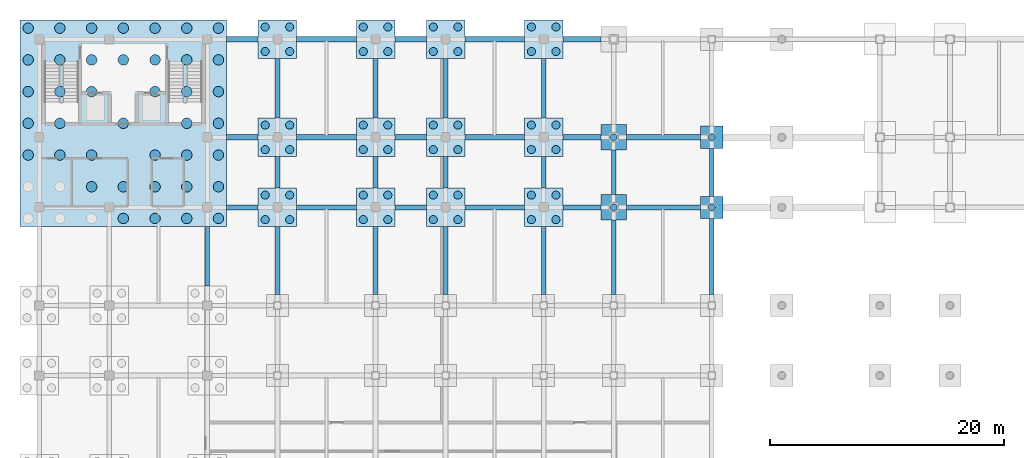
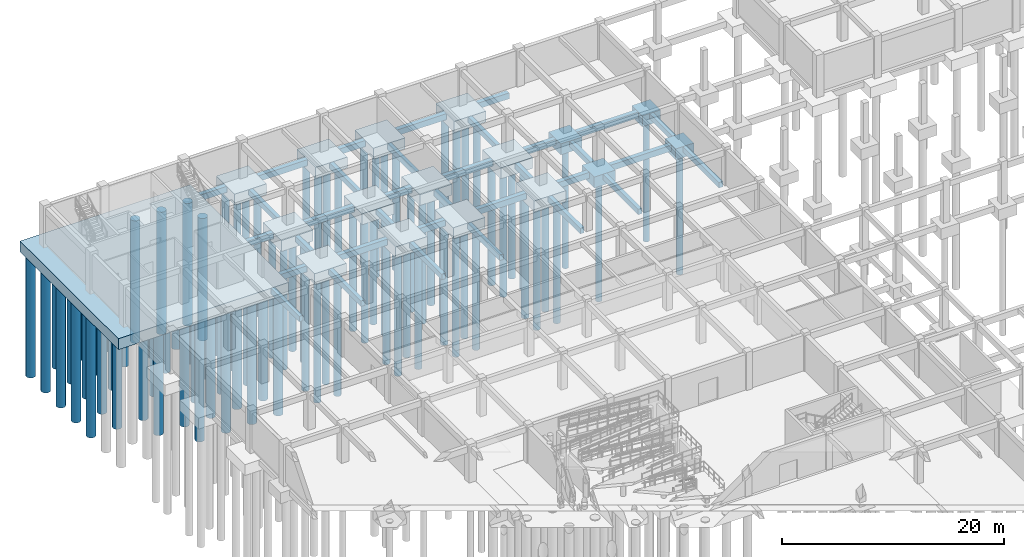
# One storey, part 8 of 40: 92 piles, 51 footings.
"""IFC4 building model written with IfcOpenShell, lengths in metres."""

from ifc_helpers import new_model, si_unit, direction, frame, origin, origin_2d, place, context, subcontext, project, spatial, rectangle, circle, extrude, material, material_profile, profile_set, type_object, element, save


model = new_model("IFC4")

# Units and contexts
model_context = context("Model", 3, precision=1e-05, world=origin(), true_north=direction((0.0, 1.0)))
body_context = subcontext(model_context, "Body", "Model", "MODEL_VIEW")
ifc_project = project(units=[si_unit("LENGTHUNIT", "METRE"), si_unit("AREAUNIT", "SQUARE_METRE"), si_unit("VOLUMEUNIT", "CUBIC_METRE"), si_unit("PLANEANGLEUNIT", "RADIAN"), si_unit("MASSUNIT", "GRAM", prefix="KILO"), si_unit("THERMODYNAMICTEMPERATUREUNIT", "KELVIN")], contexts=[model_context])

# Site, building, storey
site_placement = place(None, origin())
site = spatial("IfcSite", under=ifc_project, at=site_placement, CompositionType="ELEMENT")
building_placement = place(site_placement, origin())
building = spatial("IfcBuilding", under=site, at=building_placement, Name="Thalorik Housing Commons", CompositionType="ELEMENT")
storey_placement = place(building_placement, frame((0.0, 0.0, -4.199951171875)))
storey = spatial("IfcBuildingStorey", under=building, at=storey_placement, Name="B1", CompositionType="ELEMENT", Elevation=-4.199951171875)

# Footings
ifc_material = material(Name="Concrete C40/50", Category="concrete")
footing_type_1 = type_object("IfcFootingType", Name="STR-CAP-17700x17700", PredefinedType="PILE_CAP", material=ifc_material)
footing_1_placement = place(storey_placement, frame((15.60009765625, 116.39990234375, -1.64990234375), z_axis=(0.0, 0.0, 1.0), x_axis=(1.0, 0.0, 0.0)))
element("IfcFooting", 1, at=footing_1_placement, inside=storey, type_object=footing_type_1, Name="B1 Pile Cap 234", PredefinedType="PILE_CAP", context=body_context, shape_type="SweptSolid", body=[
    extrude(rectangle(XDim=17.699951171875, YDim=17.699951171875, at=origin_2d()), origin(), (0.0, 0.0, 1.0), 1.199951171875),
])
footing_type_2 = type_object("IfcFootingType", Name="STR-CAP-1900x1900", PredefinedType="PILE_CAP", material=ifc_material)
for number, where, z_axis, x_axis, name in (
    (2, (66.0, 109.199951171875, -1.64990234375), (0.0, 0.0, 1.0), (1.0, 0.0, 0.0), "B1 Pile Cap 252"),
    (3, (66.0, 115.199951171875, -1.64990234375), (0.0, 0.0, 1.0), (1.0, 0.0, 0.0), "B1 Pile Cap 269"),
):
    element("IfcFooting", number, at=place(storey_placement, frame(where, z_axis=z_axis, x_axis=x_axis)), inside=storey, type_object=footing_type_2, Name=name, PredefinedType="PILE_CAP", context=body_context, shape_type="SweptSolid", body=[
        extrude(rectangle(XDim=1.89990234375, YDim=1.89990234375, at=origin_2d()), origin(), (0.0, 0.0, 1.0), 1.199951171875),
    ])
footing_type_3 = type_object("IfcFootingType", Name="STR-CAP-2200x2200", PredefinedType="PILE_CAP", material=ifc_material)
for number, where, z_axis, x_axis, name in (
    (4, (57.60009765625, 109.199951171875, -1.64990234375), (0.0, 0.0, 1.0), (1.0, 0.0, 0.0), "B1 Pile Cap 251"),
    (5, (57.60009765625, 115.199951171875, -1.64990234375), (0.0, 0.0, 1.0), (1.0, 0.0, 0.0), "B1 Pile Cap 268"),
):
    element("IfcFooting", number, at=place(storey_placement, frame(where, z_axis=z_axis, x_axis=x_axis)), inside=storey, type_object=footing_type_3, Name=name, PredefinedType="PILE_CAP", context=body_context, shape_type="SweptSolid", body=[
        extrude(rectangle(XDim=2.199951171875, YDim=2.199951171875, at=origin_2d()), origin(), (0.0, 0.0, 1.0), 1.199951171875),
    ])
footing_type_4 = type_object("IfcFootingType", Name="STR-CAP-3300x3300", PredefinedType="PILE_CAP", material=ifc_material)
for number, where, z_axis, x_axis, name in (
    (6, (28.800048828125, 109.199951171875, -1.64990234375), (0.0, 0.0, 1.0), (1.0, 0.0, 0.0), "B1 Pile Cap 235"),
    (7, (37.199951171875, 109.199951171875, -1.64990234375), (0.0, 0.0, 1.0), (1.0, 0.0, 0.0), "B1 Pile Cap 236"),
    (8, (43.199951171875, 109.199951171875, -1.64990234375), (0.0, 0.0, 1.0), (1.0, 0.0, 0.0), "B1 Pile Cap 237"),
    (9, (51.60009765625, 109.199951171875, -1.64990234375), (0.0, 0.0, 1.0), (1.0, 0.0, 0.0), "B1 Pile Cap 238"),
    (10, (28.800048828125, 115.199951171875, -1.64990234375), (0.0, 0.0, 1.0), (1.0, 0.0, 0.0), "B1 Pile Cap 253"),
    (11, (37.199951171875, 115.199951171875, -1.64990234375), (0.0, 0.0, 1.0), (1.0, 0.0, 0.0), "B1 Pile Cap 254"),
    (12, (43.199951171875, 115.199951171875, -1.64990234375), (0.0, 0.0, 1.0), (1.0, 0.0, 0.0), "B1 Pile Cap 255"),
    (13, (51.60009765625, 115.199951171875, -1.64990234375), (0.0, 0.0, 1.0), (1.0, 0.0, 0.0), "B1 Pile Cap 256"),
    (14, (28.800048828125, 123.60009765625, -1.64990234375), (0.0, 0.0, 1.0), (1.0, 0.0, 0.0), "B1 Pile Cap 270"),
    (15, (37.199951171875, 123.60009765625, -1.64990234375), (0.0, 0.0, 1.0), (1.0, 0.0, 0.0), "B1 Pile Cap 271"),
    (16, (43.199951171875, 123.60009765625, -1.64990234375), (0.0, 0.0, 1.0), (1.0, 0.0, 0.0), "B1 Pile Cap 272"),
    (17, (51.60009765625, 123.60009765625, -1.64990234375), (0.0, 0.0, 1.0), (1.0, 0.0, 0.0), "B1 Pile Cap 273"),
):
    element("IfcFooting", number, at=place(storey_placement, frame(where, z_axis=z_axis, x_axis=x_axis)), inside=storey, type_object=footing_type_4, Name=name, PredefinedType="PILE_CAP", context=body_context, shape_type="SweptSolid", body=[
        extrude(rectangle(XDim=3.300048828125, YDim=3.300048828125, at=origin_2d()), origin(), (0.0, 0.0, 1.0), 1.199951171875),
    ])
ifc_material_profile_1 = material_profile(ifc_material, rectangle(XDim=0.39990234375, YDim=0.60009765625, at=origin_2d()), Name="RC 400x600", Category="concrete")
ifc_profile_set_1 = profile_set([ifc_material_profile_1], Name="Concrete C40/50")
footing_type_5 = type_object("IfcFootingType", Name="STR-GB-400", PredefinedType="FOOTING_BEAM", material=ifc_profile_set_1)
footing_2_placement = place(storey_placement, frame((22.800048828125, 102.449951171875, -0.75), z_axis=(0.0, 1.0, 0.0), x_axis=(-1.0, 0.0, 0.0)))
element("IfcFooting", 18, at=footing_2_placement, inside=storey, type_object=footing_type_5, Name="B1 Ground Tie-Beam Y 298", PredefinedType="FOOTING_BEAM", context=body_context, shape_type="SweptSolid", body=[
    extrude(rectangle(XDim=0.39990234375, YDim=0.60009765625, at=origin_2d()), origin(), (0.0, 0.0, 1.0), 5.10009765625),
])
footing_3_placement = place(storey_placement, frame((28.800048828125, 101.75, -0.75), z_axis=(0.0, 1.0, 0.0), x_axis=(-1.0, 0.0, 0.0)))
element("IfcFooting", 19, at=footing_3_placement, inside=storey, type_object=footing_type_5, Name="B1 Ground Tie-Beam Y 311", PredefinedType="FOOTING_BEAM", context=body_context, shape_type="SweptSolid", body=[
    extrude(rectangle(XDim=0.39990234375, YDim=0.60009765625, at=origin_2d()), origin(), (0.0, 0.0, 1.0), 5.800048828125),
])
footing_4_placement = place(storey_placement, frame((28.800048828125, 110.85009765625, -0.75), z_axis=(0.0, 1.0, 0.0), x_axis=(-1.0, 0.0, 0.0)))
element("IfcFooting", 20, at=footing_4_placement, inside=storey, type_object=footing_type_5, Name="B1 Ground Tie-Beam Y 312", PredefinedType="FOOTING_BEAM", context=body_context, shape_type="SweptSolid", body=[
    extrude(rectangle(XDim=0.39990234375, YDim=0.60009765625, at=origin_2d()), origin(), (0.0, 0.0, 1.0), 2.699951171875),
])
footing_5_placement = place(storey_placement, frame((28.800048828125, 116.85009765625, -0.75), z_axis=(0.0, 1.0, 0.0), x_axis=(-1.0, 0.0, 0.0)))
element("IfcFooting", 21, at=footing_5_placement, inside=storey, type_object=footing_type_5, Name="B1 Ground Tie-Beam Y 313", PredefinedType="FOOTING_BEAM", context=body_context, shape_type="SweptSolid", body=[
    extrude(rectangle(XDim=0.39990234375, YDim=0.60009765625, at=origin_2d()), origin(), (0.0, 0.0, 1.0), 5.099853515625),
])
footing_6_placement = place(storey_placement, frame((37.199951171875, 101.75, -0.75), z_axis=(0.0, 1.0, 0.0), x_axis=(-1.0, 0.0, 0.0)))
element("IfcFooting", 22, at=footing_6_placement, inside=storey, type_object=footing_type_5, Name="B1 Ground Tie-Beam Y 326", PredefinedType="FOOTING_BEAM", context=body_context, shape_type="SweptSolid", body=[
    extrude(rectangle(XDim=0.39990234375, YDim=0.60009765625, at=origin_2d()), origin(), (0.0, 0.0, 1.0), 5.800048828125),
])
footing_7_placement = place(storey_placement, frame((37.199951171875, 110.85009765625, -0.75), z_axis=(0.0, 1.0, 0.0), x_axis=(-1.0, 0.0, 0.0)))
element("IfcFooting", 23, at=footing_7_placement, inside=storey, type_object=footing_type_5, Name="B1 Ground Tie-Beam Y 327", PredefinedType="FOOTING_BEAM", context=body_context, shape_type="SweptSolid", body=[
    extrude(rectangle(XDim=0.39990234375, YDim=0.60009765625, at=origin_2d()), origin(), (0.0, 0.0, 1.0), 2.699951171875),
])
footing_8_placement = place(storey_placement, frame((37.199951171875, 116.85009765625, -0.75), z_axis=(0.0, 1.0, 0.0), x_axis=(-1.0, 0.0, 0.0)))
element("IfcFooting", 24, at=footing_8_placement, inside=storey, type_object=footing_type_5, Name="B1 Ground Tie-Beam Y 328", PredefinedType="FOOTING_BEAM", context=body_context, shape_type="SweptSolid", body=[
    extrude(rectangle(XDim=0.39990234375, YDim=0.60009765625, at=origin_2d()), origin(), (0.0, 0.0, 1.0), 5.099853515625),
])
footing_9_placement = place(storey_placement, frame((43.199951171875, 101.75, -0.75), z_axis=(0.0, 1.0, 0.0), x_axis=(-1.0, 0.0, 0.0)))
element("IfcFooting", 25, at=footing_9_placement, inside=storey, type_object=footing_type_5, Name="B1 Ground Tie-Beam Y 341", PredefinedType="FOOTING_BEAM", context=body_context, shape_type="SweptSolid", body=[
    extrude(rectangle(XDim=0.39990234375, YDim=0.60009765625, at=origin_2d()), origin(), (0.0, 0.0, 1.0), 5.800048828125),
])
footing_10_placement = place(storey_placement, frame((43.199951171875, 110.85009765625, -0.75), z_axis=(0.0, 1.0, 0.0), x_axis=(-1.0, 0.0, 0.0)))
element("IfcFooting", 26, at=footing_10_placement, inside=storey, type_object=footing_type_5, Name="B1 Ground Tie-Beam Y 342", PredefinedType="FOOTING_BEAM", context=body_context, shape_type="SweptSolid", body=[
    extrude(rectangle(XDim=0.39990234375, YDim=0.60009765625, at=origin_2d()), origin(), (0.0, 0.0, 1.0), 2.699951171875),
])
footing_11_placement = place(storey_placement, frame((43.199951171875, 116.85009765625, -0.75), z_axis=(0.0, 1.0, 0.0), x_axis=(-1.0, 0.0, 0.0)))
element("IfcFooting", 27, at=footing_11_placement, inside=storey, type_object=footing_type_5, Name="B1 Ground Tie-Beam Y 343", PredefinedType="FOOTING_BEAM", context=body_context, shape_type="SweptSolid", body=[
    extrude(rectangle(XDim=0.39990234375, YDim=0.60009765625, at=origin_2d()), origin(), (0.0, 0.0, 1.0), 5.099853515625),
])
footing_12_placement = place(storey_placement, frame((51.60009765625, 101.75, -0.75), z_axis=(0.0, 1.0, 0.0), x_axis=(-1.0, 0.0, 0.0)))
element("IfcFooting", 28, at=footing_12_placement, inside=storey, type_object=footing_type_5, Name="B1 Ground Tie-Beam Y 356", PredefinedType="FOOTING_BEAM", context=body_context, shape_type="SweptSolid", body=[
    extrude(rectangle(XDim=0.39990234375, YDim=0.60009765625, at=origin_2d()), origin(), (0.0, 0.0, 1.0), 5.800048828125),
])
footing_13_placement = place(storey_placement, frame((51.60009765625, 110.85009765625, -0.75), z_axis=(0.0, 1.0, 0.0), x_axis=(-1.0, 0.0, 0.0)))
element("IfcFooting", 29, at=footing_13_placement, inside=storey, type_object=footing_type_5, Name="B1 Ground Tie-Beam Y 357", PredefinedType="FOOTING_BEAM", context=body_context, shape_type="SweptSolid", body=[
    extrude(rectangle(XDim=0.39990234375, YDim=0.60009765625, at=origin_2d()), origin(), (0.0, 0.0, 1.0), 2.699951171875),
])
footing_14_placement = place(storey_placement, frame((51.60009765625, 116.85009765625, -0.75), z_axis=(0.0, 1.0, 0.0), x_axis=(-1.0, 0.0, 0.0)))
element("IfcFooting", 30, at=footing_14_placement, inside=storey, type_object=footing_type_5, Name="B1 Ground Tie-Beam Y 358", PredefinedType="FOOTING_BEAM", context=body_context, shape_type="SweptSolid", body=[
    extrude(rectangle(XDim=0.39990234375, YDim=0.60009765625, at=origin_2d()), origin(), (0.0, 0.0, 1.0), 5.099853515625),
])
footing_15_placement = place(storey_placement, frame((57.60009765625, 101.75, -0.75), z_axis=(0.0, 1.0, 0.0), x_axis=(-1.0, 0.0, 0.0)))
element("IfcFooting", 31, at=footing_15_placement, inside=storey, type_object=footing_type_5, Name="B1 Ground Tie-Beam Y 372", PredefinedType="FOOTING_BEAM", context=body_context, shape_type="SweptSolid", body=[
    extrude(rectangle(XDim=0.39990234375, YDim=0.60009765625, at=origin_2d()), origin(), (0.0, 0.0, 1.0), 6.35009765625),
])
footing_16_placement = place(storey_placement, frame((57.60009765625, 110.300048828125, -0.75), z_axis=(0.0, 1.0, 0.0), x_axis=(-1.0, 0.0, 0.0)))
element("IfcFooting", 32, at=footing_16_placement, inside=storey, type_object=footing_type_5, Name="B1 Ground Tie-Beam Y 373", PredefinedType="FOOTING_BEAM", context=body_context, shape_type="SweptSolid", body=[
    extrude(rectangle(XDim=0.39990234375, YDim=0.60009765625, at=origin_2d()), origin(), (0.0, 0.0, 1.0), 3.800048828125),
])
footing_17_placement = place(storey_placement, frame((66.0, 101.75, -0.75), z_axis=(0.0, 1.0, 0.0), x_axis=(-1.0, 0.0, 0.0)))
element("IfcFooting", 33, at=footing_17_placement, inside=storey, type_object=footing_type_5, Name="B1 Ground Tie-Beam Y 386", PredefinedType="FOOTING_BEAM", context=body_context, shape_type="SweptSolid", body=[
    extrude(rectangle(XDim=0.39990234375, YDim=0.60009765625, at=origin_2d()), origin(), (0.0, 0.0, 1.0), 6.5),
])
footing_18_placement = place(storey_placement, frame((66.0, 110.14990234375, -0.75), z_axis=(0.0, 1.0, 0.0), x_axis=(-1.0, 0.0, 0.0)))
element("IfcFooting", 34, at=footing_18_placement, inside=storey, type_object=footing_type_5, Name="B1 Ground Tie-Beam Y 387", PredefinedType="FOOTING_BEAM", context=body_context, shape_type="SweptSolid", body=[
    extrude(rectangle(XDim=0.39990234375, YDim=0.60009765625, at=origin_2d()), origin(), (0.0, 0.0, 1.0), 4.10009765625),
])
ifc_material_profile_2 = material_profile(ifc_material, rectangle(XDim=0.449951171875, YDim=0.64990234375, at=origin_2d()), Name="RC 450x650", Category="concrete")
ifc_profile_set_2 = profile_set([ifc_material_profile_2], Name="Concrete C40/50")
footing_type_6 = type_object("IfcFootingType", Name="STR-GB-500", PredefinedType="FOOTING_BEAM", material=ifc_profile_set_2)
footing_19_placement = place(storey_placement, frame((24.449951171875, 109.199951171875, -0.775146484375), z_axis=(1.0, 0.0, 0.0), x_axis=(0.0, 1.0, 0.0)))
element("IfcFooting", 35, at=footing_19_placement, inside=storey, type_object=footing_type_6, Name="B1 Ground Tie-Beam X 209", PredefinedType="FOOTING_BEAM", context=body_context, shape_type="SweptSolid", body=[
    extrude(rectangle(XDim=0.449951171875, YDim=0.64990234375, at=origin_2d()), origin(), (0.0, 0.0, 1.0), 2.699951171875),
])
footing_20_placement = place(storey_placement, frame((30.449951171875, 109.199951171875, -0.775146484375), z_axis=(1.0, 0.0, 0.0), x_axis=(0.0, 1.0, 0.0)))
element("IfcFooting", 36, at=footing_20_placement, inside=storey, type_object=footing_type_6, Name="B1 Ground Tie-Beam X 210", PredefinedType="FOOTING_BEAM", context=body_context, shape_type="SweptSolid", body=[
    extrude(rectangle(XDim=0.449951171875, YDim=0.64990234375, at=origin_2d()), origin(), (0.0, 0.0, 1.0), 5.10009765625),
])
footing_21_placement = place(storey_placement, frame((38.85009765625, 109.199951171875, -0.775146484375), z_axis=(1.0, 0.0, 0.0), x_axis=(0.0, 1.0, 0.0)))
element("IfcFooting", 37, at=footing_21_placement, inside=storey, type_object=footing_type_6, Name="B1 Ground Tie-Beam X 211", PredefinedType="FOOTING_BEAM", context=body_context, shape_type="SweptSolid", body=[
    extrude(rectangle(XDim=0.449951171875, YDim=0.64990234375, at=origin_2d()), origin(), (0.0, 0.0, 1.0), 2.699951171875),
])
footing_22_placement = place(storey_placement, frame((44.85009765625, 109.199951171875, -0.775146484375), z_axis=(1.0, 0.0, 0.0), x_axis=(0.0, 1.0, 0.0)))
element("IfcFooting", 38, at=footing_22_placement, inside=storey, type_object=footing_type_6, Name="B1 Ground Tie-Beam X 212", PredefinedType="FOOTING_BEAM", context=body_context, shape_type="SweptSolid", body=[
    extrude(rectangle(XDim=0.449951171875, YDim=0.64990234375, at=origin_2d()), origin(), (0.0, 0.0, 1.0), 5.099853515625),
])
footing_23_placement = place(storey_placement, frame((53.25, 109.199951171875, -0.775146484375), z_axis=(1.0, 0.0, 0.0), x_axis=(0.0, 1.0, 0.0)))
element("IfcFooting", 39, at=footing_23_placement, inside=storey, type_object=footing_type_6, Name="B1 Ground Tie-Beam X 213", PredefinedType="FOOTING_BEAM", context=body_context, shape_type="SweptSolid", body=[
    extrude(rectangle(XDim=0.449951171875, YDim=0.64990234375, at=origin_2d()), origin(), (0.0, 0.0, 1.0), 3.25),
])
footing_24_placement = place(storey_placement, frame((58.699951171875, 109.199951171875, -0.775146484375), z_axis=(1.0, 0.0, 0.0), x_axis=(0.0, 1.0, 0.0)))
element("IfcFooting", 40, at=footing_24_placement, inside=storey, type_object=footing_type_6, Name="B1 Ground Tie-Beam X 214", PredefinedType="FOOTING_BEAM", context=body_context, shape_type="SweptSolid", body=[
    extrude(rectangle(XDim=0.449951171875, YDim=0.64990234375, at=origin_2d()), origin(), (0.0, 0.0, 1.0), 6.35009765625),
])
footing_25_placement = place(storey_placement, frame((24.449951171875, 115.199951171875, -0.775146484375), z_axis=(1.0, 0.0, 0.0), x_axis=(0.0, 1.0, 0.0)))
element("IfcFooting", 41, at=footing_25_placement, inside=storey, type_object=footing_type_6, Name="B1 Ground Tie-Beam X 227", PredefinedType="FOOTING_BEAM", context=body_context, shape_type="SweptSolid", body=[
    extrude(rectangle(XDim=0.449951171875, YDim=0.64990234375, at=origin_2d()), origin(), (0.0, 0.0, 1.0), 2.699951171875),
])
footing_26_placement = place(storey_placement, frame((30.449951171875, 115.199951171875, -0.775146484375), z_axis=(1.0, 0.0, 0.0), x_axis=(0.0, 1.0, 0.0)))
element("IfcFooting", 42, at=footing_26_placement, inside=storey, type_object=footing_type_6, Name="B1 Ground Tie-Beam X 228", PredefinedType="FOOTING_BEAM", context=body_context, shape_type="SweptSolid", body=[
    extrude(rectangle(XDim=0.449951171875, YDim=0.64990234375, at=origin_2d()), origin(), (0.0, 0.0, 1.0), 5.10009765625),
])
footing_27_placement = place(storey_placement, frame((38.85009765625, 115.199951171875, -0.775146484375), z_axis=(1.0, 0.0, 0.0), x_axis=(0.0, 1.0, 0.0)))
element("IfcFooting", 43, at=footing_27_placement, inside=storey, type_object=footing_type_6, Name="B1 Ground Tie-Beam X 229", PredefinedType="FOOTING_BEAM", context=body_context, shape_type="SweptSolid", body=[
    extrude(rectangle(XDim=0.449951171875, YDim=0.64990234375, at=origin_2d()), origin(), (0.0, 0.0, 1.0), 2.699951171875),
])
footing_28_placement = place(storey_placement, frame((44.85009765625, 115.199951171875, -0.775146484375), z_axis=(1.0, 0.0, 0.0), x_axis=(0.0, 1.0, 0.0)))
element("IfcFooting", 44, at=footing_28_placement, inside=storey, type_object=footing_type_6, Name="B1 Ground Tie-Beam X 230", PredefinedType="FOOTING_BEAM", context=body_context, shape_type="SweptSolid", body=[
    extrude(rectangle(XDim=0.449951171875, YDim=0.64990234375, at=origin_2d()), origin(), (0.0, 0.0, 1.0), 5.099853515625),
])
footing_29_placement = place(storey_placement, frame((53.25, 115.199951171875, -0.775146484375), z_axis=(1.0, 0.0, 0.0), x_axis=(0.0, 1.0, 0.0)))
element("IfcFooting", 45, at=footing_29_placement, inside=storey, type_object=footing_type_6, Name="B1 Ground Tie-Beam X 231", PredefinedType="FOOTING_BEAM", context=body_context, shape_type="SweptSolid", body=[
    extrude(rectangle(XDim=0.449951171875, YDim=0.64990234375, at=origin_2d()), origin(), (0.0, 0.0, 1.0), 3.25),
])
footing_30_placement = place(storey_placement, frame((58.699951171875, 115.199951171875, -0.775146484375), z_axis=(1.0, 0.0, 0.0), x_axis=(0.0, 1.0, 0.0)))
element("IfcFooting", 46, at=footing_30_placement, inside=storey, type_object=footing_type_6, Name="B1 Ground Tie-Beam X 232", PredefinedType="FOOTING_BEAM", context=body_context, shape_type="SweptSolid", body=[
    extrude(rectangle(XDim=0.449951171875, YDim=0.64990234375, at=origin_2d()), origin(), (0.0, 0.0, 1.0), 6.35009765625),
])
footing_31_placement = place(storey_placement, frame((24.449951171875, 123.60009765625, -0.775146484375), z_axis=(1.0, 0.0, 0.0), x_axis=(0.0, 1.0, 0.0)))
element("IfcFooting", 47, at=footing_31_placement, inside=storey, type_object=footing_type_6, Name="B1 Ground Tie-Beam X 245", PredefinedType="FOOTING_BEAM", context=body_context, shape_type="SweptSolid", body=[
    extrude(rectangle(XDim=0.449951171875, YDim=0.64990234375, at=origin_2d()), origin(), (0.0, 0.0, 1.0), 2.699951171875),
])
footing_32_placement = place(storey_placement, frame((30.449951171875, 123.60009765625, -0.775146484375), z_axis=(1.0, 0.0, 0.0), x_axis=(0.0, 1.0, 0.0)))
element("IfcFooting", 48, at=footing_32_placement, inside=storey, type_object=footing_type_6, Name="B1 Ground Tie-Beam X 246", PredefinedType="FOOTING_BEAM", context=body_context, shape_type="SweptSolid", body=[
    extrude(rectangle(XDim=0.449951171875, YDim=0.64990234375, at=origin_2d()), origin(), (0.0, 0.0, 1.0), 5.10009765625),
])
footing_33_placement = place(storey_placement, frame((38.85009765625, 123.60009765625, -0.775146484375), z_axis=(1.0, 0.0, 0.0), x_axis=(0.0, 1.0, 0.0)))
element("IfcFooting", 49, at=footing_33_placement, inside=storey, type_object=footing_type_6, Name="B1 Ground Tie-Beam X 247", PredefinedType="FOOTING_BEAM", context=body_context, shape_type="SweptSolid", body=[
    extrude(rectangle(XDim=0.449951171875, YDim=0.64990234375, at=origin_2d()), origin(), (0.0, 0.0, 1.0), 2.699951171875),
])
footing_34_placement = place(storey_placement, frame((44.85009765625, 123.60009765625, -0.775146484375), z_axis=(1.0, 0.0, 0.0), x_axis=(0.0, 1.0, 0.0)))
element("IfcFooting", 50, at=footing_34_placement, inside=storey, type_object=footing_type_6, Name="B1 Ground Tie-Beam X 248", PredefinedType="FOOTING_BEAM", context=body_context, shape_type="SweptSolid", body=[
    extrude(rectangle(XDim=0.449951171875, YDim=0.64990234375, at=origin_2d()), origin(), (0.0, 0.0, 1.0), 5.099853515625),
])
footing_35_placement = place(storey_placement, frame((53.25, 123.60009765625, -0.775146484375), z_axis=(1.0, 0.0, 0.0), x_axis=(0.0, 1.0, 0.0)))
element("IfcFooting", 51, at=footing_35_placement, inside=storey, type_object=footing_type_6, Name="B1 Ground Tie-Beam X 249", PredefinedType="FOOTING_BEAM", context=body_context, shape_type="SweptSolid", body=[
    extrude(rectangle(XDim=0.449951171875, YDim=0.64990234375, at=origin_2d()), origin(), (0.0, 0.0, 1.0), 3.25),
])

# Piles
ifc_material_profile_3 = material_profile(ifc_material, circle(Radius=0.300048828125, at=origin_2d()), Name="BORED PILE D600", Category="concrete")
ifc_profile_set_3 = profile_set([ifc_material_profile_3], Name="Concrete C40/50")
pile_type_1 = type_object("IfcPileType", Name="STR-PILE-D600", PredefinedType="BORED", material=ifc_profile_set_3)
for number, where, z_axis, x_axis, name in (
    (52, (57.60009765625, 109.199951171875, -1.550048828125), (0.0, 0.0, -1.0), (1.0, 0.0, 0.0), "B1 Bored Pile 660"),
    (53, (66.0, 109.199951171875, -1.550048828125), (0.0, 0.0, -1.0), (1.0, 0.0, 0.0), "B1 Bored Pile 661"),
    (54, (57.60009765625, 115.199951171875, -1.550048828125), (0.0, 0.0, -1.0), (1.0, 0.0, 0.0), "B1 Bored Pile 707"),
    (55, (66.0, 115.199951171875, -1.550048828125), (0.0, 0.0, -1.0), (1.0, 0.0, 0.0), "B1 Bored Pile 708"),
):
    element("IfcPile", number, at=place(storey_placement, frame(where, z_axis=z_axis, x_axis=x_axis)), inside=storey, type_object=pile_type_1, Name=name, PredefinedType="BORED", context=body_context, shape_type="SweptSolid", body=[
        extrude(circle(Radius=0.300048828125, at=origin_2d()), origin(), (0.0, 0.0, 1.0), 13.449951171875),
    ])
ifc_material_profile_4 = material_profile(ifc_material, circle(Radius=0.35009765625, at=origin_2d()), Name="BORED PILE D700", Category="concrete")
ifc_profile_set_4 = profile_set([ifc_material_profile_4], Name="Concrete C40/50")
pile_type_2 = type_object("IfcPileType", Name="STR-PILE-D700", PredefinedType="BORED", material=ifc_profile_set_4)
for number, where, z_axis, x_axis, name in (
    (56, (27.75, 108.14990234375, -1.550048828125), (0.0, 0.0, -1.0), (1.0, 0.0, 0.0), "B1 Bored Pile 570"),
    (57, (27.75, 110.25, -1.550048828125), (0.0, 0.0, -1.0), (1.0, 0.0, 0.0), "B1 Bored Pile 571"),
    (58, (29.85009765625, 108.14990234375, -1.550048828125), (0.0, 0.0, -1.0), (1.0, 0.0, 0.0), "B1 Bored Pile 572"),
    (59, (29.85009765625, 110.25, -1.550048828125), (0.0, 0.0, -1.0), (1.0, 0.0, 0.0), "B1 Bored Pile 573"),
    (60, (36.14990234375, 108.14990234375, -1.550048828125), (0.0, 0.0, -1.0), (1.0, 0.0, 0.0), "B1 Bored Pile 574"),
    (61, (36.14990234375, 110.25, -1.550048828125), (0.0, 0.0, -1.0), (1.0, 0.0, 0.0), "B1 Bored Pile 575"),
    (62, (38.25, 108.14990234375, -1.550048828125), (0.0, 0.0, -1.0), (1.0, 0.0, 0.0), "B1 Bored Pile 576"),
    (63, (38.25, 110.25, -1.550048828125), (0.0, 0.0, -1.0), (1.0, 0.0, 0.0), "B1 Bored Pile 577"),
    (64, (42.14990234375, 108.14990234375, -1.550048828125), (0.0, 0.0, -1.0), (1.0, 0.0, 0.0), "B1 Bored Pile 578"),
    (65, (42.14990234375, 110.25, -1.550048828125), (0.0, 0.0, -1.0), (1.0, 0.0, 0.0), "B1 Bored Pile 579"),
    (66, (44.25, 108.14990234375, -1.550048828125), (0.0, 0.0, -1.0), (1.0, 0.0, 0.0), "B1 Bored Pile 580"),
    (67, (44.25, 110.25, -1.550048828125), (0.0, 0.0, -1.0), (1.0, 0.0, 0.0), "B1 Bored Pile 581"),
    (68, (50.550048828125, 108.14990234375, -1.550048828125), (0.0, 0.0, -1.0), (1.0, 0.0, 0.0), "B1 Bored Pile 582"),
    (69, (50.550048828125, 110.25, -1.550048828125), (0.0, 0.0, -1.0), (1.0, 0.0, 0.0), "B1 Bored Pile 583"),
    (70, (52.64990234375, 108.14990234375, -1.550048828125), (0.0, 0.0, -1.0), (1.0, 0.0, 0.0), "B1 Bored Pile 584"),
    (71, (52.64990234375, 110.25, -1.550048828125), (0.0, 0.0, -1.0), (1.0, 0.0, 0.0), "B1 Bored Pile 585"),
    (72, (27.75, 114.14990234375, -1.550048828125), (0.0, 0.0, -1.0), (1.0, 0.0, 0.0), "B1 Bored Pile 662"),
    (73, (27.75, 116.25, -1.550048828125), (0.0, 0.0, -1.0), (1.0, 0.0, 0.0), "B1 Bored Pile 663"),
    (74, (29.85009765625, 114.14990234375, -1.550048828125), (0.0, 0.0, -1.0), (1.0, 0.0, 0.0), "B1 Bored Pile 664"),
    (75, (29.85009765625, 116.25, -1.550048828125), (0.0, 0.0, -1.0), (1.0, 0.0, 0.0), "B1 Bored Pile 665"),
    (76, (36.14990234375, 114.14990234375, -1.550048828125), (0.0, 0.0, -1.0), (1.0, 0.0, 0.0), "B1 Bored Pile 666"),
    (77, (36.14990234375, 116.25, -1.550048828125), (0.0, 0.0, -1.0), (1.0, 0.0, 0.0), "B1 Bored Pile 667"),
    (78, (38.25, 114.14990234375, -1.550048828125), (0.0, 0.0, -1.0), (1.0, 0.0, 0.0), "B1 Bored Pile 668"),
    (79, (38.25, 116.25, -1.550048828125), (0.0, 0.0, -1.0), (1.0, 0.0, 0.0), "B1 Bored Pile 669"),
    (80, (42.14990234375, 114.14990234375, -1.550048828125), (0.0, 0.0, -1.0), (1.0, 0.0, 0.0), "B1 Bored Pile 670"),
    (81, (42.14990234375, 116.25, -1.550048828125), (0.0, 0.0, -1.0), (1.0, 0.0, 0.0), "B1 Bored Pile 671"),
    (82, (44.25, 114.14990234375, -1.550048828125), (0.0, 0.0, -1.0), (1.0, 0.0, 0.0), "B1 Bored Pile 672"),
    (83, (44.25, 116.25, -1.550048828125), (0.0, 0.0, -1.0), (1.0, 0.0, 0.0), "B1 Bored Pile 673"),
    (84, (50.550048828125, 114.14990234375, -1.550048828125), (0.0, 0.0, -1.0), (1.0, 0.0, 0.0), "B1 Bored Pile 674"),
    (85, (50.550048828125, 116.25, -1.550048828125), (0.0, 0.0, -1.0), (1.0, 0.0, 0.0), "B1 Bored Pile 675"),
    (86, (52.64990234375, 114.14990234375, -1.550048828125), (0.0, 0.0, -1.0), (1.0, 0.0, 0.0), "B1 Bored Pile 676"),
    (87, (52.64990234375, 116.25, -1.550048828125), (0.0, 0.0, -1.0), (1.0, 0.0, 0.0), "B1 Bored Pile 677"),
    (88, (27.75, 122.550048828125, -1.550048828125), (0.0, 0.0, -1.0), (1.0, 0.0, 0.0), "B1 Bored Pile 709"),
    (89, (27.75, 124.64990234375, -1.550048828125), (0.0, 0.0, -1.0), (1.0, 0.0, 0.0), "B1 Bored Pile 710"),
    (90, (29.85009765625, 122.550048828125, -1.550048828125), (0.0, 0.0, -1.0), (1.0, 0.0, 0.0), "B1 Bored Pile 711"),
    (91, (29.85009765625, 124.64990234375, -1.550048828125), (0.0, 0.0, -1.0), (1.0, 0.0, 0.0), "B1 Bored Pile 712"),
    (92, (36.14990234375, 122.550048828125, -1.550048828125), (0.0, 0.0, -1.0), (1.0, 0.0, 0.0), "B1 Bored Pile 713"),
    (93, (36.14990234375, 124.64990234375, -1.550048828125), (0.0, 0.0, -1.0), (1.0, 0.0, 0.0), "B1 Bored Pile 714"),
    (94, (38.25, 122.550048828125, -1.550048828125), (0.0, 0.0, -1.0), (1.0, 0.0, 0.0), "B1 Bored Pile 715"),
    (95, (38.25, 124.64990234375, -1.550048828125), (0.0, 0.0, -1.0), (1.0, 0.0, 0.0), "B1 Bored Pile 716"),
    (96, (42.14990234375, 122.550048828125, -1.550048828125), (0.0, 0.0, -1.0), (1.0, 0.0, 0.0), "B1 Bored Pile 717"),
    (97, (42.14990234375, 124.64990234375, -1.550048828125), (0.0, 0.0, -1.0), (1.0, 0.0, 0.0), "B1 Bored Pile 718"),
    (98, (44.25, 122.550048828125, -1.550048828125), (0.0, 0.0, -1.0), (1.0, 0.0, 0.0), "B1 Bored Pile 719"),
    (99, (44.25, 124.64990234375, -1.550048828125), (0.0, 0.0, -1.0), (1.0, 0.0, 0.0), "B1 Bored Pile 720"),
    (100, (50.550048828125, 122.550048828125, -1.550048828125), (0.0, 0.0, -1.0), (1.0, 0.0, 0.0), "B1 Bored Pile 721"),
    (101, (50.550048828125, 124.64990234375, -1.550048828125), (0.0, 0.0, -1.0), (1.0, 0.0, 0.0), "B1 Bored Pile 722"),
    (102, (52.64990234375, 122.550048828125, -1.550048828125), (0.0, 0.0, -1.0), (1.0, 0.0, 0.0), "B1 Bored Pile 723"),
    (103, (52.64990234375, 124.64990234375, -1.550048828125), (0.0, 0.0, -1.0), (1.0, 0.0, 0.0), "B1 Bored Pile 724"),
):
    element("IfcPile", number, at=place(storey_placement, frame(where, z_axis=z_axis, x_axis=x_axis)), inside=storey, type_object=pile_type_2, Name=name, PredefinedType="BORED", context=body_context, shape_type="SweptSolid", body=[
        extrude(circle(Radius=0.35009765625, at=origin_2d()), origin(), (0.0, 0.0, 1.0), 13.449951171875),
    ])
ifc_material_profile_5 = material_profile(ifc_material, circle(Radius=0.449951171875, at=origin_2d()), Name="BORED PILE D900", Category="concrete")
ifc_profile_set_5 = profile_set([ifc_material_profile_5], Name="Concrete C40/50")
pile_type_3 = type_object("IfcPileType", Name="STR-PILE-D900", PredefinedType="BORED", material=ifc_profile_set_5)
for number, where, z_axis, x_axis, name in (
    (104, (7.449951171875, 113.683349609375, -1.550048828125), (0.0, 0.0, -1.0), (1.0, 0.0, 0.0), "B1 Bored Pile 527"),
    (105, (7.449951171875, 116.39990234375, -1.550048828125), (0.0, 0.0, -1.0), (1.0, 0.0, 0.0), "B1 Bored Pile 528"),
    (106, (7.449951171875, 119.11669921875, -1.550048828125), (0.0, 0.0, -1.0), (1.0, 0.0, 0.0), "B1 Bored Pile 529"),
    (107, (7.449951171875, 121.833251953125, -1.550048828125), (0.0, 0.0, -1.0), (1.0, 0.0, 0.0), "B1 Bored Pile 530"),
    (108, (7.449951171875, 124.550048828125, -1.550048828125), (0.0, 0.0, -1.0), (1.0, 0.0, 0.0), "B1 Bored Pile 531"),
    (109, (10.166748046875, 113.683349609375, -1.550048828125), (0.0, 0.0, -1.0), (1.0, 0.0, 0.0), "B1 Bored Pile 534"),
    (110, (10.166748046875, 116.39990234375, -1.550048828125), (0.0, 0.0, -1.0), (1.0, 0.0, 0.0), "B1 Bored Pile 535"),
    (111, (10.166748046875, 119.11669921875, -1.550048828125), (0.0, 0.0, -1.0), (1.0, 0.0, 0.0), "B1 Bored Pile 536"),
    (112, (10.166748046875, 121.833251953125, -1.550048828125), (0.0, 0.0, -1.0), (1.0, 0.0, 0.0), "B1 Bored Pile 537"),
    (113, (10.166748046875, 124.550048828125, -1.550048828125), (0.0, 0.0, -1.0), (1.0, 0.0, 0.0), "B1 Bored Pile 538"),
    (114, (12.88330078125, 110.966796875, -1.550048828125), (0.0, 0.0, -1.0), (1.0, 0.0, 0.0), "B1 Bored Pile 540"),
    (115, (12.88330078125, 113.683349609375, -1.550048828125), (0.0, 0.0, -1.0), (1.0, 0.0, 0.0), "B1 Bored Pile 541"),
    (116, (12.88330078125, 119.11669921875, -1.550048828125), (0.0, 0.0, -1.0), (1.0, 0.0, 0.0), "B1 Bored Pile 542"),
    (117, (12.88330078125, 121.833251953125, -1.550048828125), (0.0, 0.0, -1.0), (1.0, 0.0, 0.0), "B1 Bored Pile 543"),
    (118, (12.88330078125, 124.550048828125, -1.550048828125), (0.0, 0.0, -1.0), (1.0, 0.0, 0.0), "B1 Bored Pile 544"),
    (119, (15.60009765625, 108.25, -1.550048828125), (0.0, 0.0, -1.0), (1.0, 0.0, 0.0), "B1 Bored Pile 545"),
    (120, (15.60009765625, 110.966796875, -1.550048828125), (0.0, 0.0, -1.0), (1.0, 0.0, 0.0), "B1 Bored Pile 546"),
    (121, (15.60009765625, 116.39990234375, -1.550048828125), (0.0, 0.0, -1.0), (1.0, 0.0, 0.0), "B1 Bored Pile 547"),
    (122, (15.60009765625, 121.833251953125, -1.550048828125), (0.0, 0.0, -1.0), (1.0, 0.0, 0.0), "B1 Bored Pile 548"),
    (123, (15.60009765625, 124.550048828125, -1.550048828125), (0.0, 0.0, -1.0), (1.0, 0.0, 0.0), "B1 Bored Pile 549"),
    (124, (18.316650390625, 108.25, -1.550048828125), (0.0, 0.0, -1.0), (1.0, 0.0, 0.0), "B1 Bored Pile 550"),
    (125, (18.316650390625, 110.966796875, -1.550048828125), (0.0, 0.0, -1.0), (1.0, 0.0, 0.0), "B1 Bored Pile 551"),
    (126, (18.316650390625, 113.683349609375, -1.550048828125), (0.0, 0.0, -1.0), (1.0, 0.0, 0.0), "B1 Bored Pile 552"),
    (127, (18.316650390625, 119.11669921875, -1.550048828125), (0.0, 0.0, -1.0), (1.0, 0.0, 0.0), "B1 Bored Pile 553"),
    (128, (18.316650390625, 121.833251953125, -1.550048828125), (0.0, 0.0, -1.0), (1.0, 0.0, 0.0), "B1 Bored Pile 554"),
    (129, (18.316650390625, 124.550048828125, -1.550048828125), (0.0, 0.0, -1.0), (1.0, 0.0, 0.0), "B1 Bored Pile 555"),
    (130, (21.033203125, 108.25, -1.550048828125), (0.0, 0.0, -1.0), (1.0, 0.0, 0.0), "B1 Bored Pile 556"),
    (131, (21.033203125, 110.966796875, -1.550048828125), (0.0, 0.0, -1.0), (1.0, 0.0, 0.0), "B1 Bored Pile 557"),
    (132, (21.033203125, 113.683349609375, -1.550048828125), (0.0, 0.0, -1.0), (1.0, 0.0, 0.0), "B1 Bored Pile 558"),
    (133, (21.033203125, 116.39990234375, -1.550048828125), (0.0, 0.0, -1.0), (1.0, 0.0, 0.0), "B1 Bored Pile 559"),
    (134, (21.033203125, 119.11669921875, -1.550048828125), (0.0, 0.0, -1.0), (1.0, 0.0, 0.0), "B1 Bored Pile 560"),
    (135, (21.033203125, 121.833251953125, -1.550048828125), (0.0, 0.0, -1.0), (1.0, 0.0, 0.0), "B1 Bored Pile 561"),
    (136, (21.033203125, 124.550048828125, -1.550048828125), (0.0, 0.0, -1.0), (1.0, 0.0, 0.0), "B1 Bored Pile 562"),
    (137, (23.75, 108.25, -1.550048828125), (0.0, 0.0, -1.0), (1.0, 0.0, 0.0), "B1 Bored Pile 563"),
    (138, (23.75, 110.966796875, -1.550048828125), (0.0, 0.0, -1.0), (1.0, 0.0, 0.0), "B1 Bored Pile 564"),
    (139, (23.75, 113.683349609375, -1.550048828125), (0.0, 0.0, -1.0), (1.0, 0.0, 0.0), "B1 Bored Pile 565"),
    (140, (23.75, 116.39990234375, -1.550048828125), (0.0, 0.0, -1.0), (1.0, 0.0, 0.0), "B1 Bored Pile 566"),
    (141, (23.75, 119.11669921875, -1.550048828125), (0.0, 0.0, -1.0), (1.0, 0.0, 0.0), "B1 Bored Pile 567"),
    (142, (23.75, 121.833251953125, -1.550048828125), (0.0, 0.0, -1.0), (1.0, 0.0, 0.0), "B1 Bored Pile 568"),
    (143, (23.75, 124.550048828125, -1.550048828125), (0.0, 0.0, -1.0), (1.0, 0.0, 0.0), "B1 Bored Pile 569"),
):
    element("IfcPile", number, at=place(storey_placement, frame(where, z_axis=z_axis, x_axis=x_axis)), inside=storey, type_object=pile_type_3, Name=name, PredefinedType="BORED", context=body_context, shape_type="SweptSolid", body=[
        extrude(circle(Radius=0.449951171875, at=origin_2d()), origin(), (0.0, 0.0, 1.0), 13.449951171875),
    ])

save(model, "model.ifc")
